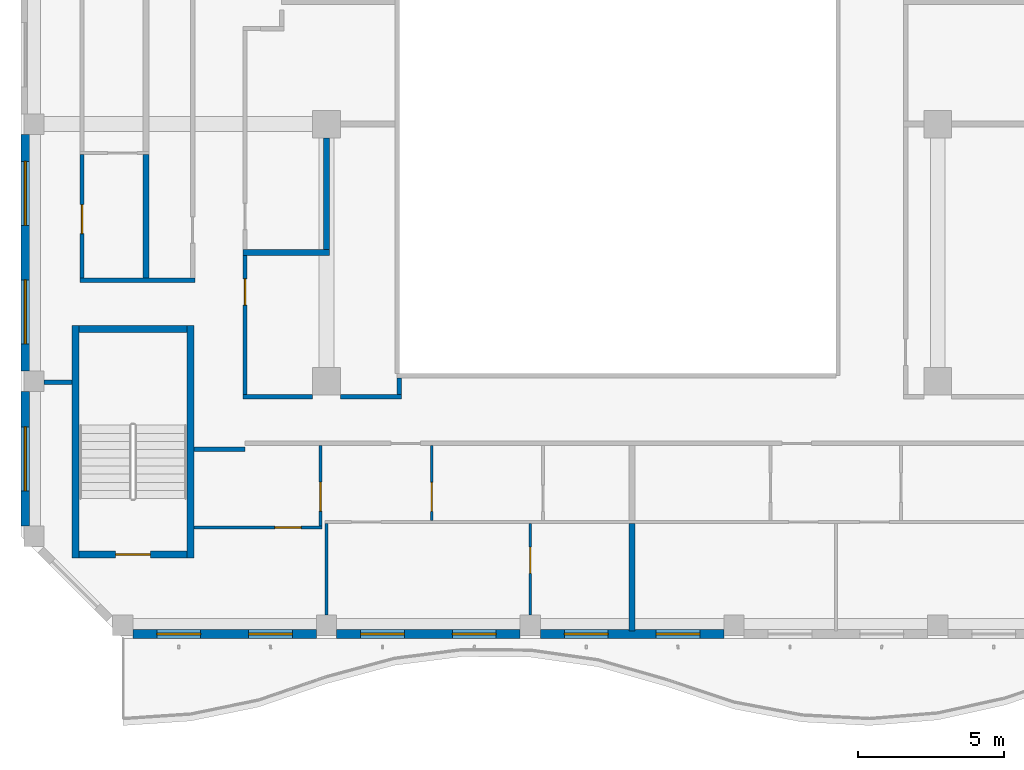
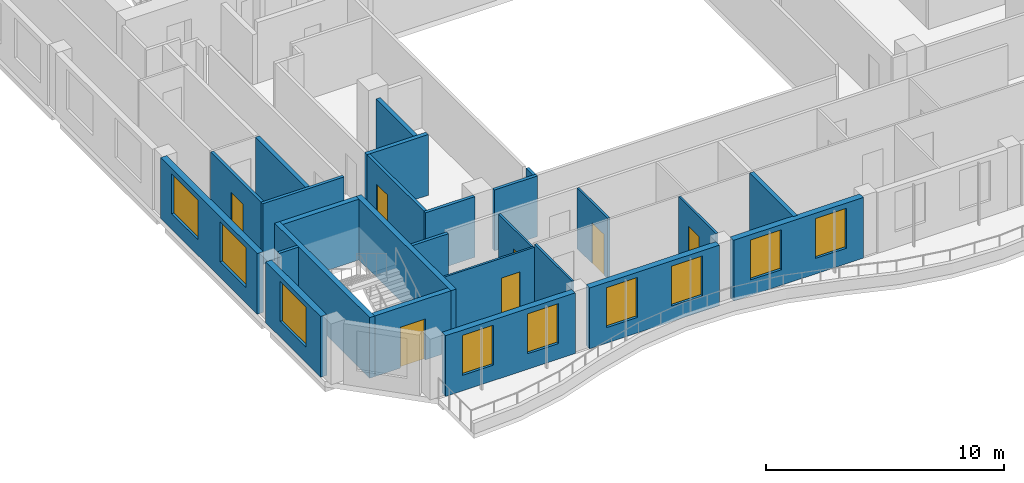
# One storey, part 2 of 19: 26 walls, 9 windows, 7 doors, 16 openings.
"""IFC4 building model written with IfcOpenShell, lengths in metres."""

from ifc_helpers import new_model, si_unit, direction, frame, frame_2d, origin, place, context, subcontext, project, spatial, rectangle, extrude, source, transform, mapped, material, layer, layer_set, type_object, element, fill, save


model = new_model("IFC4")

# Units and contexts
model_context = context("Model", 3, precision=1e-05, world=origin(), true_north=direction((0.0, 1.0)))
body_context = subcontext(model_context, "Body", "Model", "MODEL_VIEW")
ifc_project = project(units=[si_unit("LENGTHUNIT", "METRE"), si_unit("AREAUNIT", "SQUARE_METRE"), si_unit("VOLUMEUNIT", "CUBIC_METRE"), si_unit("PLANEANGLEUNIT", "RADIAN"), si_unit("MASSUNIT", "GRAM", prefix="KILO")], contexts=[model_context])

# Site, building, storey
site_placement = place(None, origin())
site = spatial("IfcSite", under=ifc_project, at=site_placement, CompositionType="ELEMENT")
building_placement = place(site_placement, origin())
building = spatial("IfcBuilding", under=site, at=building_placement, Name="Kilnfold Tower and Market Hall", CompositionType="ELEMENT")
storey_placement = place(building_placement, frame((0.0, 0.0, 252.60009765625)))
storey = spatial("IfcBuildingStorey", under=building, at=storey_placement, Name="L61", CompositionType="ELEMENT", Elevation=252.60009765625)

# Wall, opening, door
ifc_material_1 = material(Name="Gypsum board on steel studs", Category="steel")
ifc_layer_1 = layer(ifc_material_1, 0.14990234375)
ifc_layer_set_1 = layer_set([ifc_layer_1], Name="Gypsum board on steel studs")
wall_type_1 = type_object("IfcWallType", Name="WALL CORRIDOR 150", PredefinedType="PARTITIONING", material=ifc_layer_set_1)
wall_1_placement = place(storey_placement, frame((-17.39990234375, -6.125, 0.0), z_axis=(0.0, 0.0, 1.0), x_axis=(0.0, 1.0, 0.0)))
wall_1 = element("IfcWall", 1, at=wall_1_placement, inside=storey, type_object=wall_type_1, Name="Partition LY37.1", PredefinedType="PARTITIONING", context=body_context, shape_type="SweptSolid", body=[
    extrude(rectangle(XDim=4.25390625, YDim=0.14990234375, at=frame_2d((2.126953125, 0.0))), origin(), (0.0, 0.0, 1.0), 3.119873046875),
])
opening_1_placement = place(wall_1_placement, frame((1.52490234375, 0.0, 0.0)))
opening_1 = element("IfcOpeningElement", 2, at=opening_1_placement, cuts=wall_1, Name="Opening D1", PredefinedType="OPENING", context=body_context, shape_type="SweptSolid", body=[
    extrude(rectangle(XDim=1.0, YDim=2.10009765625, at=frame_2d((0.5, 1.050048828125))), frame((0.0, 0.0849609375, 0.0), z_axis=(0.0, -1.0, 0.0), x_axis=(1.0, 0.0, 0.0)), (0.0, 0.0, 1.0), 0.169921875),
])
ifc_material_2 = material(Name="Timber veneer door leaf in steel frame", Category="steel")
door_type_1 = type_object("IfcDoorType", Name="DOOR ENTRY 1000 X2100", OperationType="NOTDEFINED", PredefinedType="DOOR", material=ifc_material_2)
door_1_placement = place(opening_1_placement, origin())
door_1 = element("IfcDoor", 3, at=door_1_placement, inside=storey, type_object=door_type_1, Name="Door D1", OperationType="SINGLE_SWING_RIGHT", OverallHeight=2.10009765625, OverallWidth=1.0, PredefinedType="DOOR", context=body_context, shape_type="SweptSolid", body=[
    extrude(rectangle(XDim=1.0, YDim=2.10009765625, at=frame_2d((0.5, 1.050048828125))), frame((0.0, 0.02490234375, 0.0), z_axis=(0.0, -1.0, 0.0), x_axis=(1.0, 0.0, 0.0)), (0.0, 0.0, 1.0), 0.050048828125),
])
fill(opening_1, door_1)

# Walls
wall_2_placement = place(storey_placement, frame((-17.47509765625, -6.199951171875, 0.0), z_axis=(0.0, 0.0, 1.0), x_axis=(1.0, 0.0, 0.0)))
element("IfcWall", 4, at=wall_2_placement, inside=storey, type_object=wall_type_1, Name="Partition LY37.2", PredefinedType="PARTITIONING", context=body_context, shape_type="SweptSolid", body=[
    extrude(rectangle(XDim=3.9501953125, YDim=0.14990234375, at=frame_2d((1.97509765625, 0.0))), origin(), (0.0, 0.0, 1.0), 3.119873046875),
])
wall_3_placement = place(storey_placement, frame((-13.550048828125, -12.0, 0.0), z_axis=(0.0, 0.0, 1.0), x_axis=(1.0, 0.0, 0.0)))
element("IfcWall", 5, at=wall_3_placement, inside=storey, type_object=wall_type_1, Name="Partition LY37.10", PredefinedType="PARTITIONING", context=body_context, shape_type="SweptSolid", body=[
    extrude(rectangle(XDim=1.75, YDim=0.14990234375, at=frame_2d((0.875, 0.0))), origin(), (0.0, 0.0, 1.0), 3.119873046875),
])
wall_4_placement = place(storey_placement, frame((-18.699951171875, -9.699951171875, 0.0), z_axis=(0.0, 0.0, 1.0), x_axis=(1.0, 0.0, 0.0)))
element("IfcWall", 6, at=wall_4_placement, inside=storey, type_object=wall_type_1, Name="Partition LY37.11", PredefinedType="PARTITIONING", context=body_context, shape_type="SweptSolid", body=[
    extrude(rectangle(XDim=0.949951171875, YDim=0.14990234375, at=frame_2d((0.47509765625, 0.0))), origin(), (0.0, 0.0, 1.0), 3.119873046875),
])

# Wall, opening, door
wall_5_placement = place(storey_placement, frame((-11.800048828125, -10.125, 0.0), z_axis=(0.0, 0.0, 1.0), x_axis=(0.0, 1.0, 0.0)))
wall_5 = element("IfcWall", 7, at=wall_5_placement, inside=storey, type_object=wall_type_1, Name="Partition LY37.36", PredefinedType="PARTITIONING", context=body_context, shape_type="SweptSolid", body=[
    extrude(rectangle(XDim=4.784912109375, YDim=0.14990234375, at=frame_2d((2.392578125, 0.0))), origin(), (0.0, 0.0, 1.0), 3.119873046875),
])
opening_2_placement = place(wall_5_placement, frame((3.070068359375, 0.0, 0.0)))
opening_2 = element("IfcOpeningElement", 8, at=opening_2_placement, cuts=wall_5, Name="Opening D2", PredefinedType="OPENING", context=body_context, shape_type="SweptSolid", body=[
    extrude(rectangle(XDim=0.89990234375, YDim=2.10009765625, at=frame_2d((0.449951171875, 1.050048828125))), frame((0.0, 0.0849609375, 0.0), z_axis=(0.0, -1.0, 0.0), x_axis=(1.0, 0.0, 0.0)), (0.0, 0.0, 1.0), 0.169921875),
])
ifc_material_3 = material(Name="Timber veneer door leaf in steel frame", Category="steel")
door_type_2 = type_object("IfcDoorType", Name="DOOR ROOM 900 X2100", OperationType="NOTDEFINED", PredefinedType="DOOR", material=ifc_material_3)
door_2_placement = place(opening_2_placement, origin())
door_2 = element("IfcDoor", 9, at=door_2_placement, inside=storey, type_object=door_type_2, Name="Door D2", OperationType="SINGLE_SWING_LEFT", OverallHeight=2.10009765625, OverallWidth=0.89990234375, PredefinedType="DOOR", context=body_context, shape_type="SweptSolid", body=[
    extrude(rectangle(XDim=0.89990234375, YDim=2.10009765625, at=frame_2d((0.449951171875, 1.050048828125))), frame((0.0, 0.02490234375, 0.0), z_axis=(0.0, -1.0, 0.0), x_axis=(1.0, 0.0, 0.0)), (0.0, 0.0, 1.0), 0.050048828125),
])
fill(opening_2, door_2)

# Walls
wall_6_placement = place(storey_placement, frame((-8.52490234375, -10.199951171875, 0.0), z_axis=(0.0, 0.0, 1.0), x_axis=(1.0, 0.0, 0.0)))
element("IfcWall", 10, at=wall_6_placement, inside=storey, type_object=wall_type_1, Name="Partition LY37.37", PredefinedType="PARTITIONING", context=body_context, shape_type="SweptSolid", body=[
    extrude(rectangle(XDim=2.099853515625, YDim=0.14990234375, at=frame_2d((1.0498046875, 0.0))), origin(), (0.0, 0.0, 1.0), 3.119873046875),
])
wall_7_placement = place(storey_placement, frame((-11.875, -10.199951171875, 0.0), z_axis=(0.0, 0.0, 1.0), x_axis=(1.0, 0.0, 0.0)))
element("IfcWall", 11, at=wall_7_placement, inside=storey, type_object=wall_type_1, Name="Partition LY37.38", PredefinedType="PARTITIONING", context=body_context, shape_type="SweptSolid", body=[
    extrude(rectangle(XDim=2.39990234375, YDim=0.14990234375, at=frame_2d((1.199951171875, 0.0))), origin(), (0.0, 0.0, 1.0), 3.119873046875),
])
wall_8_placement = place(storey_placement, frame((-6.5, -9.550048828125, 0.0), z_axis=(0.0, 0.0, 1.0), x_axis=(0.0, -1.0, 0.0)))
element("IfcWall", 12, at=wall_8_placement, inside=storey, type_object=wall_type_1, Name="Partition LY37.39", PredefinedType="PARTITIONING", context=body_context, shape_type="SweptSolid", body=[
    extrude(rectangle(XDim=0.574951171875, YDim=0.14990234375, at=frame_2d((0.28759765625, 0.0))), origin(), (0.0, 0.0, 1.0), 3.119873046875),
])

# Wall, opening, door
ifc_material_4 = material(Name="Gypsum board on steel studs", Category="steel")
ifc_layer_2 = layer(ifc_material_4, 0.10009765625)
ifc_layer_set_2 = layer_set([ifc_layer_2], Name="Gypsum board on steel studs")
wall_type_2 = type_object("IfcWallType", Name="WALL PARTITION 100", PredefinedType="PARTITIONING", material=ifc_layer_set_2)
wall_9_placement = place(storey_placement, frame((-9.2099609375, -14.64990234375, 0.0), z_axis=(0.0, 0.0, 1.0), x_axis=(0.0, 1.0, 0.0)))
wall_9 = element("IfcWall", 13, at=wall_9_placement, inside=storey, type_object=wall_type_2, Name="Partition LY37.56", PredefinedType="PARTITIONING", context=body_context, shape_type="SweptSolid", body=[
    extrude(rectangle(XDim=2.77294921875, YDim=0.10009765625, at=frame_2d((1.386474609375, 0.0))), origin(), (0.0, 0.0, 1.0), 3.119873046875),
])
opening_3_placement = place(wall_9_placement, frame((0.51708984375, 0.0, 0.0)))
opening_3 = element("IfcOpeningElement", 14, at=opening_3_placement, cuts=wall_9, Name="Opening D1", PredefinedType="OPENING", context=body_context, shape_type="SweptSolid", body=[
    extrude(rectangle(XDim=1.0, YDim=2.10009765625, at=frame_2d((0.5, 1.050048828125))), frame((0.0, 0.06005859375, 0.0), z_axis=(0.0, -1.0, 0.0), x_axis=(1.0, 0.0, 0.0)), (0.0, 0.0, 1.0), 0.1201171875),
])
door_3_placement = place(opening_3_placement, origin())
door_3 = element("IfcDoor", 15, at=door_3_placement, inside=storey, type_object=door_type_1, Name="Door D1", OperationType="SINGLE_SWING_LEFT", OverallHeight=2.10009765625, OverallWidth=1.0, PredefinedType="DOOR", context=body_context, shape_type="SweptSolid", body=[
    extrude(rectangle(XDim=1.0, YDim=2.10009765625, at=frame_2d((0.5, 1.050048828125))), frame((0.0, 0.02490234375, 0.0), z_axis=(0.0, -1.0, 0.0), x_axis=(1.0, 0.0, 0.0)), (0.0, 0.0, 1.0), 0.050048828125),
])
fill(opening_3, door_3)

wall_10_placement = place(storey_placement, frame((-13.550048828125, -14.699951171875, 0.0), z_axis=(0.0, 0.0, 1.0), x_axis=(1.0, 0.0, 0.0)))
wall_10 = element("IfcWall", 16, at=wall_10_placement, inside=storey, type_object=wall_type_2, Name="Partition LY37.57", PredefinedType="PARTITIONING", context=body_context, shape_type="SweptSolid", body=[
    extrude(rectangle(XDim=4.39013671875, YDim=0.10009765625, at=frame_2d((2.195068359375, 0.0))), origin(), (0.0, 0.0, 1.0), 3.119873046875),
])
opening_4_placement = place(wall_10_placement, frame((2.77490234375, 0.0, 0.0)))
opening_4 = element("IfcOpeningElement", 17, at=opening_4_placement, cuts=wall_10, Name="Opening D2", PredefinedType="OPENING", context=body_context, shape_type="SweptSolid", body=[
    extrude(rectangle(XDim=0.89990234375, YDim=2.10009765625, at=frame_2d((0.449951171875, 1.050048828125))), frame((0.0, 0.06005859375, 0.0), z_axis=(0.0, -1.0, 0.0), x_axis=(1.0, 0.0, 0.0)), (0.0, 0.0, 1.0), 0.1201171875),
])
door_4_placement = place(opening_4_placement, origin())
door_4 = element("IfcDoor", 18, at=door_4_placement, inside=storey, type_object=door_type_2, Name="Door D2", OperationType="SINGLE_SWING_RIGHT", OverallHeight=2.10009765625, OverallWidth=0.89990234375, PredefinedType="DOOR", context=body_context, shape_type="SweptSolid", body=[
    extrude(rectangle(XDim=0.89990234375, YDim=2.10009765625, at=frame_2d((0.449951171875, 1.050048828125))), frame((0.0, 0.02490234375, 0.0), z_axis=(0.0, -1.0, 0.0), x_axis=(1.0, 0.0, 0.0)), (0.0, 0.0, 1.0), 0.050048828125),
])
fill(opening_4, door_4)

wall_11_placement = place(storey_placement, frame((-5.385009765625, -14.449951171875, 0.0), z_axis=(0.0, 0.0, 1.0), x_axis=(0.0, 1.0, 0.0)))
wall_11 = element("IfcWall", 19, at=wall_11_placement, inside=storey, type_object=wall_type_2, Name="Partition LY37.58", PredefinedType="PARTITIONING", context=body_context, shape_type="SweptSolid", body=[
    extrude(rectangle(XDim=2.572998046875, YDim=0.10009765625, at=frame_2d((1.28662109375, 0.0))), origin(), (0.0, 0.0, 1.0), 3.119873046875),
])
opening_5_placement = place(wall_11_placement, frame((0.306884765625, 0.0, 0.0)))
opening_5 = element("IfcOpeningElement", 20, at=opening_5_placement, cuts=wall_11, Name="Opening D1", PredefinedType="OPENING", context=body_context, shape_type="SweptSolid", body=[
    extrude(rectangle(XDim=1.0, YDim=2.10009765625, at=frame_2d((0.5, 1.050048828125))), frame((0.0, 0.06005859375, 0.0), z_axis=(0.0, -1.0, 0.0), x_axis=(1.0, 0.0, 0.0)), (0.0, 0.0, 1.0), 0.1201171875),
])
door_5_placement = place(opening_5_placement, origin())
door_5 = element("IfcDoor", 21, at=door_5_placement, inside=storey, type_object=door_type_1, Name="Door D1", OperationType="SINGLE_SWING_RIGHT", OverallHeight=2.10009765625, OverallWidth=1.0, PredefinedType="DOOR", context=body_context, shape_type="SweptSolid", body=[
    extrude(rectangle(XDim=1.0, YDim=2.10009765625, at=frame_2d((0.5, 1.050048828125))), frame((0.0, 0.02490234375, 0.0), z_axis=(0.0, -1.0, 0.0), x_axis=(1.0, 0.0, 0.0)), (0.0, 0.0, 1.0), 0.050048828125),
])
fill(opening_5, door_5)

# Wall
wall_12_placement = place(storey_placement, frame((-9.0, -17.699951171875, 0.0), z_axis=(0.0, 0.0, 1.0), x_axis=(0.0, 1.0, 0.0)))
element("IfcWall", 22, at=wall_12_placement, inside=storey, type_object=wall_type_2, Name="Partition LY37.62", PredefinedType="PARTITIONING", context=body_context, shape_type="SweptSolid", body=[
    extrude(rectangle(XDim=3.14794921875, YDim=0.10009765625, at=frame_2d((1.573974609375, 0.0))), origin(), (0.0, 0.0, 1.0), 3.119873046875),
])

# Wall, opening, door
wall_13_placement = place(storey_placement, frame((-2.0, -17.699951171875, 0.0), z_axis=(0.0, 0.0, 1.0), x_axis=(0.0, 1.0, 0.0)))
wall_13 = element("IfcWall", 23, at=wall_13_placement, inside=storey, type_object=wall_type_2, Name="Partition LY37.63", PredefinedType="PARTITIONING", context=body_context, shape_type="SweptSolid", body=[
    extrude(rectangle(XDim=3.14794921875, YDim=0.10009765625, at=frame_2d((1.573974609375, 0.0))), origin(), (0.0, 0.0, 1.0), 3.119873046875),
])
opening_6_placement = place(wall_13_placement, frame((1.431884765625, 0.0, 0.0)))
opening_6 = element("IfcOpeningElement", 24, at=opening_6_placement, cuts=wall_13, Name="Opening D2", PredefinedType="OPENING", context=body_context, shape_type="SweptSolid", body=[
    extrude(rectangle(XDim=0.89990234375, YDim=2.10009765625, at=frame_2d((0.449951171875, 1.050048828125))), frame((0.0, 0.06005859375, 0.0), z_axis=(0.0, -1.0, 0.0), x_axis=(1.0, 0.0, 0.0)), (0.0, 0.0, 1.0), 0.1201171875),
])
door_6_placement = place(opening_6_placement, origin())
door_6 = element("IfcDoor", 25, at=door_6_placement, inside=storey, type_object=door_type_2, Name="Door D2", OperationType="SINGLE_SWING_LEFT", OverallHeight=2.10009765625, OverallWidth=0.89990234375, PredefinedType="DOOR", context=body_context, shape_type="SweptSolid", body=[
    extrude(rectangle(XDim=0.89990234375, YDim=2.10009765625, at=frame_2d((0.449951171875, 1.050048828125))), frame((0.0, 0.02490234375, 0.0), z_axis=(0.0, -1.0, 0.0), x_axis=(1.0, 0.0, 0.0)), (0.0, 0.0, 1.0), 0.050048828125),
])
fill(opening_6, door_6)

# Walls
ifc_material_5 = material(Name="Gypsum board on steel studs", Category="steel")
ifc_layer_3 = layer(ifc_material_5, 0.199951171875)
ifc_layer_set_3 = layer_set([ifc_layer_3], Name="Gypsum board on steel studs")
wall_type_3 = type_object("IfcWallType", Name="WALL PARTY 200", PredefinedType="PARTITIONING", material=ifc_layer_set_3)
wall_14_placement = place(storey_placement, frame((-15.199951171875, -6.123046875, 0.0), z_axis=(0.0, 0.0, 1.0), x_axis=(0.0, 1.0, 0.0)))
element("IfcWall", 26, at=wall_14_placement, inside=storey, type_object=wall_type_3, Name="Partition LY37.51", PredefinedType="PARTITIONING", context=body_context, shape_type="SweptSolid", body=[
    extrude(rectangle(XDim=4.241943359375, YDim=0.199951171875, at=frame_2d((2.12109375, 0.0))), origin(), (0.0, 0.0, 1.0), 3.119873046875),
])
wall_15_placement = place(storey_placement, frame((1.5, -18.25, 0.0), z_axis=(0.0, 0.0, 1.0), x_axis=(0.0, 1.0, 0.0)))
element("IfcWall", 27, at=wall_15_placement, inside=storey, type_object=wall_type_3, Name="Partition LY37.64", PredefinedType="PARTITIONING", context=body_context, shape_type="SweptSolid", body=[
    extrude(rectangle(XDim=3.697998046875, YDim=0.199951171875, at=frame_2d((1.84912109375, 0.0))), origin(), (0.0, 0.0, 1.0), 3.119873046875),
])
wall_16_placement = place(storey_placement, frame((-9.0, -5.14990234375, 0.0), z_axis=(0.0, 0.0, 1.0), x_axis=(0.0, 1.0, 0.0)))
element("IfcWall", 28, at=wall_16_placement, inside=storey, type_object=wall_type_3, Name="Partition LY37.101", PredefinedType="PARTITIONING", context=body_context, shape_type="SweptSolid", body=[
    extrude(rectangle(XDim=3.841796875, YDim=0.199951171875, at=frame_2d((1.9208984375, 0.0))), origin(), (0.0, 0.0, 1.0), 2.56982421875),
])
wall_17_placement = place(storey_placement, frame((-11.873046875, -5.25, 0.0), z_axis=(0.0, 0.0, 1.0), x_axis=(1.0, 0.0, 0.0)))
element("IfcWall", 29, at=wall_17_placement, inside=storey, type_object=wall_type_3, Name="Partition LY37.102", PredefinedType="PARTITIONING", context=body_context, shape_type="SweptSolid", body=[
    extrude(rectangle(XDim=2.97314453125, YDim=0.199951171875, at=frame_2d((1.486572265625, 0.0))), origin(), (0.0, 0.0, 1.0), 3.119873046875),
])

# Wall, opening, door
ifc_material_6 = material(Name="Concrete C60", Category="concrete")
ifc_layer_4 = layer(ifc_material_6, 0.25)
ifc_layer_set_4 = layer_set([ifc_layer_4], Name="Concrete C60")
wall_type_4 = type_object("IfcWallType", Name="CORE WALL 250 C60", PredefinedType="SHEAR", material=ifc_layer_set_4)
shared_shape_1 = source(origin(), body_context, "Body", "SweptSolid", [
    extrude(rectangle(XDim=3.699951171875, YDim=0.25, at=frame_2d((1.85009765625, 0.0))), origin(), (0.0, 0.0, 1.0), 3.119873046875),
])
wall_18_placement = place(storey_placement, frame((-17.5, -15.625, 0.0), z_axis=(0.0, 0.0, 1.0), x_axis=(1.0, 0.0, 0.0)))
wall_18 = element("IfcWall", 30, at=wall_18_placement, inside=storey, type_object=wall_type_4, Name="Stair enclosure ST3", PredefinedType="SHEAR", context=body_context, shape_type="MappedRepresentation", body=[
    mapped(shared_shape_1, transform((0.0, 0.0, 0.0))),
])
opening_7_placement = place(wall_18_placement, frame((1.25, 0.0, 0.0)))
opening_7 = element("IfcOpeningElement", 31, at=opening_7_placement, cuts=wall_18, Name="Opening SD1", PredefinedType="OPENING", context=body_context, shape_type="SweptSolid", body=[
    extrude(rectangle(XDim=1.199951171875, YDim=2.10009765625, at=frame_2d((0.60009765625, 1.050048828125))), frame((0.0, 0.135009765625, 0.0), z_axis=(0.0, -1.0, 0.0), x_axis=(1.0, 0.0, 0.0)), (0.0, 0.0, 1.0), 0.27001953125),
])
ifc_material_7 = material(Name="Steel door set with fire-resisting leaf", Category="steel")
door_type_3 = type_object("IfcDoorType", Name="STAIR FLOOR DOOR 1200X2100", OperationType="NOTDEFINED", PredefinedType="DOOR", material=ifc_material_7)
door_7_placement = place(opening_7_placement, origin())
door_7 = element("IfcDoor", 32, at=door_7_placement, inside=storey, type_object=door_type_3, Name="Exit stair ST3 door", OperationType="DOUBLE_DOOR_SINGLE_SWING", OverallHeight=2.10009765625, OverallWidth=1.199951171875, PredefinedType="DOOR", context=body_context, shape_type="SweptSolid", body=[
    extrude(rectangle(XDim=1.199951171875, YDim=2.10009765625, at=frame_2d((0.60009765625, 1.050048828125))), frame((0.0, 0.02490234375, 0.0), z_axis=(0.0, -1.0, 0.0), x_axis=(1.0, 0.0, 0.0)), (0.0, 0.0, 1.0), 0.050048828125),
])
fill(opening_7, door_7)

# Walls
wall_19_placement = place(storey_placement, frame((-17.5, -7.875, 0.0), z_axis=(0.0, 0.0, 1.0), x_axis=(1.0, 0.0, 0.0)))
element("IfcWall", 33, at=wall_19_placement, inside=storey, type_object=wall_type_4, Name="Stair enclosure ST3", PredefinedType="SHEAR", context=body_context, shape_type="MappedRepresentation", body=[
    mapped(shared_shape_1, transform((0.0, 0.0, 0.0))),
])
shared_shape_2 = source(origin(), body_context, "Body", "SweptSolid", [
    extrude(rectangle(XDim=8.0, YDim=0.25, at=frame_2d((4.0, 0.0))), origin(), (0.0, 0.0, 1.0), 3.119873046875),
])
for number, where, z_axis, x_axis, name in (
    (34, (-17.625, -15.75, 0.0), (0.0, 0.0, 1.0), (0.0, 1.0, 0.0), "Stair enclosure ST3"),
    (35, (-13.675048828125, -15.75, 0.0), (0.0, 0.0, 1.0), (0.0, 1.0, 0.0), "Stair enclosure ST3"),
):
    element("IfcWall", number, at=place(storey_placement, frame(where, z_axis=z_axis, x_axis=x_axis)), inside=storey, type_object=wall_type_4, Name=name, PredefinedType="SHEAR", context=body_context, shape_type="MappedRepresentation", body=[
        mapped(shared_shape_2, transform((0.0, 0.0, 0.0))),
    ])

# Wall, openings, windows
ifc_material_8 = material(Name="Precast concrete C50/60", Category="concrete")
ifc_layer_5 = layer(ifc_material_8, 0.300048828125)
ifc_layer_set_5 = layer_set([ifc_layer_5], Name="Precast concrete C50/60")
wall_type_5 = type_object("IfcWallType", Name="PRECAST WALL 300", PredefinedType="SOLIDWALL", material=ifc_layer_set_5)
shared_shape_3 = source(origin(), body_context, "Body", "SweptSolid", [
    extrude(rectangle(XDim=6.2998046875, YDim=0.300048828125, at=frame_2d((3.14990234375, 0.0))), origin(), (0.0, 0.0, 1.0), 3.119873046875),
])
wall_20_placement = place(storey_placement, frame((-15.64990234375, -18.35009765625, 0.0), z_axis=(0.0, 0.0, 1.0), x_axis=(1.0, 0.0, 0.0)))
wall_20 = element("IfcWall", 36, at=wall_20_placement, inside=storey, type_object=wall_type_5, Name="External wall L61 S", PredefinedType="SOLIDWALL", context=body_context, shape_type="MappedRepresentation", body=[
    mapped(shared_shape_3, transform((0.0, 0.0, 0.0))),
])
opening_8_placement = place(wall_20_placement, frame((0.824951171875, 0.0, 0.800048828125)))
opening_8 = element("IfcOpeningElement", 37, at=opening_8_placement, cuts=wall_20, Name="Opening W5", PredefinedType="OPENING", context=body_context, shape_type="SweptSolid", body=[
    extrude(rectangle(XDim=1.5, YDim=2.050048828125, at=frame_2d((0.75, 1.02490234375))), frame((0.0, 0.16015625, 0.0), z_axis=(0.0, -1.0, 0.0), x_axis=(1.0, 0.0, 0.0)), (0.0, 0.0, 1.0), 0.320068359375),
])
opening_9_placement = place(wall_20_placement, frame((3.97509765625, 0.0, 0.800048828125)))
opening_9 = element("IfcOpeningElement", 38, at=opening_9_placement, cuts=wall_20, Name="Opening W5", PredefinedType="OPENING", context=body_context, shape_type="SweptSolid", body=[
    extrude(rectangle(XDim=1.5, YDim=2.050048828125, at=frame_2d((0.75, 1.02490234375))), frame((0.0, 0.16015625, 0.0), z_axis=(0.0, -1.0, 0.0), x_axis=(1.0, 0.0, 0.0)), (0.0, 0.0, 1.0), 0.320068359375),
])
ifc_material_9 = material(Name="Aluminium frame and double glazing", Category="aluminium")
window_type_1 = type_object("IfcWindowType", Name="WINDOW W5 1500X2050", PartitioningType="SINGLE_PANEL", PredefinedType="WINDOW", material=ifc_material_9)
window_1_placement = place(opening_8_placement, origin())
window_1 = element("IfcWindow", 39, at=window_1_placement, inside=storey, type_object=window_type_1, Name="Window W5 L61 S-1", OverallHeight=2.050048828125, OverallWidth=1.5, PartitioningType="SINGLE_PANEL", PredefinedType="WINDOW", context=body_context, shape_type="SweptSolid", body=[
    extrude(rectangle(XDim=1.5, YDim=2.050048828125, at=frame_2d((0.75, 1.02490234375))), frame((0.0, 0.030029296875, 0.0), z_axis=(0.0, -1.0, 0.0), x_axis=(1.0, 0.0, 0.0)), (0.0, 0.0, 1.0), 0.06005859375),
])
fill(opening_8, window_1)
window_2_placement = place(opening_9_placement, origin())
window_2 = element("IfcWindow", 40, at=window_2_placement, inside=storey, type_object=window_type_1, Name="Window W5 L61 S-2", OverallHeight=2.050048828125, OverallWidth=1.5, PartitioningType="SINGLE_PANEL", PredefinedType="WINDOW", context=body_context, shape_type="SweptSolid", body=[
    extrude(rectangle(XDim=1.5, YDim=2.050048828125, at=frame_2d((0.75, 1.02490234375))), frame((0.0, 0.030029296875, 0.0), z_axis=(0.0, -1.0, 0.0), x_axis=(1.0, 0.0, 0.0)), (0.0, 0.0, 1.0), 0.06005859375),
])
fill(opening_9, window_2)

wall_21_placement = place(storey_placement, frame((-8.64990234375, -18.35009765625, 0.0), z_axis=(0.0, 0.0, 1.0), x_axis=(1.0, 0.0, 0.0)))
wall_21 = element("IfcWall", 41, at=wall_21_placement, inside=storey, type_object=wall_type_5, Name="External wall L61 S", PredefinedType="SOLIDWALL", context=body_context, shape_type="MappedRepresentation", body=[
    mapped(shared_shape_3, transform((0.0, 0.0, 0.0))),
])
opening_10_placement = place(wall_21_placement, frame((0.824951171875, 0.0, 0.800048828125)))
opening_10 = element("IfcOpeningElement", 42, at=opening_10_placement, cuts=wall_21, Name="Opening W5", PredefinedType="OPENING", context=body_context, shape_type="SweptSolid", body=[
    extrude(rectangle(XDim=1.5, YDim=2.050048828125, at=frame_2d((0.75, 1.02490234375))), frame((0.0, 0.16015625, 0.0), z_axis=(0.0, -1.0, 0.0), x_axis=(1.0, 0.0, 0.0)), (0.0, 0.0, 1.0), 0.320068359375),
])
opening_11_placement = place(wall_21_placement, frame((3.97509765625, 0.0, 0.800048828125)))
opening_11 = element("IfcOpeningElement", 43, at=opening_11_placement, cuts=wall_21, Name="Opening W5", PredefinedType="OPENING", context=body_context, shape_type="SweptSolid", body=[
    extrude(rectangle(XDim=1.5, YDim=2.050048828125, at=frame_2d((0.75, 1.02490234375))), frame((0.0, 0.16015625, 0.0), z_axis=(0.0, -1.0, 0.0), x_axis=(1.0, 0.0, 0.0)), (0.0, 0.0, 1.0), 0.320068359375),
])
window_3_placement = place(opening_10_placement, origin())
window_3 = element("IfcWindow", 44, at=window_3_placement, inside=storey, type_object=window_type_1, Name="Window W5 L61 S-1", OverallHeight=2.050048828125, OverallWidth=1.5, PartitioningType="SINGLE_PANEL", PredefinedType="WINDOW", context=body_context, shape_type="SweptSolid", body=[
    extrude(rectangle(XDim=1.5, YDim=2.050048828125, at=frame_2d((0.75, 1.02490234375))), frame((0.0, 0.030029296875, 0.0), z_axis=(0.0, -1.0, 0.0), x_axis=(1.0, 0.0, 0.0)), (0.0, 0.0, 1.0), 0.06005859375),
])
fill(opening_10, window_3)
window_4_placement = place(opening_11_placement, origin())
window_4 = element("IfcWindow", 45, at=window_4_placement, inside=storey, type_object=window_type_1, Name="Window W5 L61 S-2", OverallHeight=2.050048828125, OverallWidth=1.5, PartitioningType="SINGLE_PANEL", PredefinedType="WINDOW", context=body_context, shape_type="SweptSolid", body=[
    extrude(rectangle(XDim=1.5, YDim=2.050048828125, at=frame_2d((0.75, 1.02490234375))), frame((0.0, 0.030029296875, 0.0), z_axis=(0.0, -1.0, 0.0), x_axis=(1.0, 0.0, 0.0)), (0.0, 0.0, 1.0), 0.06005859375),
])
fill(opening_11, window_4)

wall_22_placement = place(storey_placement, frame((-1.64990234375, -18.35009765625, 0.0), z_axis=(0.0, 0.0, 1.0), x_axis=(1.0, 0.0, 0.0)))
wall_22 = element("IfcWall", 46, at=wall_22_placement, inside=storey, type_object=wall_type_5, Name="External wall L61 S", PredefinedType="SOLIDWALL", context=body_context, shape_type="MappedRepresentation", body=[
    mapped(shared_shape_3, transform((0.0, 0.0, 0.0))),
])
opening_12_placement = place(wall_22_placement, frame((0.824951171875, 0.0, 0.800048828125)))
opening_12 = element("IfcOpeningElement", 47, at=opening_12_placement, cuts=wall_22, Name="Opening W5", PredefinedType="OPENING", context=body_context, shape_type="SweptSolid", body=[
    extrude(rectangle(XDim=1.5, YDim=2.050048828125, at=frame_2d((0.75, 1.02490234375))), frame((0.0, 0.16015625, 0.0), z_axis=(0.0, -1.0, 0.0), x_axis=(1.0, 0.0, 0.0)), (0.0, 0.0, 1.0), 0.320068359375),
])
opening_13_placement = place(wall_22_placement, frame((3.97509765625, 0.0, 0.800048828125)))
opening_13 = element("IfcOpeningElement", 48, at=opening_13_placement, cuts=wall_22, Name="Opening W5", PredefinedType="OPENING", context=body_context, shape_type="SweptSolid", body=[
    extrude(rectangle(XDim=1.5, YDim=2.050048828125, at=frame_2d((0.75, 1.02490234375))), frame((0.0, 0.16015625, 0.0), z_axis=(0.0, -1.0, 0.0), x_axis=(1.0, 0.0, 0.0)), (0.0, 0.0, 1.0), 0.320068359375),
])
window_5_placement = place(opening_12_placement, origin())
window_5 = element("IfcWindow", 49, at=window_5_placement, inside=storey, type_object=window_type_1, Name="Window W5 L61 S-1", OverallHeight=2.050048828125, OverallWidth=1.5, PartitioningType="SINGLE_PANEL", PredefinedType="WINDOW", context=body_context, shape_type="SweptSolid", body=[
    extrude(rectangle(XDim=1.5, YDim=2.050048828125, at=frame_2d((0.75, 1.02490234375))), frame((0.0, 0.030029296875, 0.0), z_axis=(0.0, -1.0, 0.0), x_axis=(1.0, 0.0, 0.0)), (0.0, 0.0, 1.0), 0.06005859375),
])
fill(opening_12, window_5)
window_6_placement = place(opening_13_placement, origin())
window_6 = element("IfcWindow", 50, at=window_6_placement, inside=storey, type_object=window_type_1, Name="Window W5 L61 S-2", OverallHeight=2.050048828125, OverallWidth=1.5, PartitioningType="SINGLE_PANEL", PredefinedType="WINDOW", context=body_context, shape_type="SweptSolid", body=[
    extrude(rectangle(XDim=1.5, YDim=2.050048828125, at=frame_2d((0.75, 1.02490234375))), frame((0.0, 0.030029296875, 0.0), z_axis=(0.0, -1.0, 0.0), x_axis=(1.0, 0.0, 0.0)), (0.0, 0.0, 1.0), 0.06005859375),
])
fill(opening_13, window_6)

shared_shape_4 = source(origin(), body_context, "Body", "SweptSolid", [
    extrude(rectangle(XDim=8.13330078125, YDim=0.300048828125, at=frame_2d((4.066650390625, 0.0))), origin(), (0.0, 0.0, 1.0), 3.119873046875),
])
wall_23_placement = place(storey_placement, frame((-19.35009765625, -1.183349609375, 0.0), z_axis=(0.0, 0.0, 1.0), x_axis=(0.0, -1.0, 0.0)))
wall_23 = element("IfcWall", 51, at=wall_23_placement, inside=storey, type_object=wall_type_5, Name="External wall L61 W", PredefinedType="SOLIDWALL", context=body_context, shape_type="MappedRepresentation", body=[
    mapped(shared_shape_4, transform((0.0, 0.0, 0.0))),
])
opening_14_placement = place(wall_23_placement, frame((0.933349609375, 0.0, 0.800048828125)))
opening_14 = element("IfcOpeningElement", 52, at=opening_14_placement, cuts=wall_23, Name="Opening W3", PredefinedType="OPENING", context=body_context, shape_type="SweptSolid", body=[
    extrude(rectangle(XDim=2.199951171875, YDim=2.050048828125, at=frame_2d((1.10009765625, 1.02490234375))), frame((0.0, 0.16015625, 0.0), z_axis=(0.0, -1.0, 0.0), x_axis=(1.0, 0.0, 0.0)), (0.0, 0.0, 1.0), 0.320068359375),
])
opening_15_placement = place(wall_23_placement, frame((5.0, 0.0, 0.800048828125)))
opening_15 = element("IfcOpeningElement", 53, at=opening_15_placement, cuts=wall_23, Name="Opening W3", PredefinedType="OPENING", context=body_context, shape_type="SweptSolid", body=[
    extrude(rectangle(XDim=2.199951171875, YDim=2.050048828125, at=frame_2d((1.10009765625, 1.02490234375))), frame((0.0, 0.16015625, 0.0), z_axis=(0.0, -1.0, 0.0), x_axis=(1.0, 0.0, 0.0)), (0.0, 0.0, 1.0), 0.320068359375),
])
ifc_material_10 = material(Name="Aluminium frame and double glazing", Category="aluminium")
window_type_2 = type_object("IfcWindowType", Name="WINDOW W3 2200X2050", PartitioningType="SINGLE_PANEL", PredefinedType="WINDOW", material=ifc_material_10)
window_7_placement = place(opening_14_placement, origin())
window_7 = element("IfcWindow", 54, at=window_7_placement, inside=storey, type_object=window_type_2, Name="Window W3 L61 W-1", OverallHeight=2.050048828125, OverallWidth=2.199951171875, PartitioningType="SINGLE_PANEL", PredefinedType="WINDOW", context=body_context, shape_type="SweptSolid", body=[
    extrude(rectangle(XDim=2.199951171875, YDim=2.050048828125, at=frame_2d((1.10009765625, 1.02490234375))), frame((0.0, 0.030029296875, 0.0), z_axis=(0.0, -1.0, 0.0), x_axis=(1.0, 0.0, 0.0)), (0.0, 0.0, 1.0), 0.06005859375),
])
fill(opening_14, window_7)
window_8_placement = place(opening_15_placement, origin())
window_8 = element("IfcWindow", 55, at=window_8_placement, inside=storey, type_object=window_type_2, Name="Window W3 L61 W-2", OverallHeight=2.050048828125, OverallWidth=2.199951171875, PartitioningType="SINGLE_PANEL", PredefinedType="WINDOW", context=body_context, shape_type="SweptSolid", body=[
    extrude(rectangle(XDim=2.199951171875, YDim=2.050048828125, at=frame_2d((1.10009765625, 1.02490234375))), frame((0.0, 0.030029296875, 0.0), z_axis=(0.0, -1.0, 0.0), x_axis=(1.0, 0.0, 0.0)), (0.0, 0.0, 1.0), 0.06005859375),
])
fill(opening_15, window_8)

# Wall, opening, window
shared_shape_5 = source(origin(), body_context, "Body", "SweptSolid", [
    extrude(rectangle(XDim=4.63330078125, YDim=0.300048828125, at=frame_2d((2.316650390625, 0.0))), origin(), (0.0, 0.0, 1.0), 3.119873046875),
])
wall_24_placement = place(storey_placement, frame((-19.35009765625, -10.0166015625, 0.0), z_axis=(0.0, 0.0, 1.0), x_axis=(0.0, -1.0, 0.0)))
wall_24 = element("IfcWall", 56, at=wall_24_placement, inside=storey, type_object=wall_type_5, Name="External wall L61 W", PredefinedType="SOLIDWALL", context=body_context, shape_type="MappedRepresentation", body=[
    mapped(shared_shape_5, transform((0.0, 0.0, 0.0))),
])
opening_16_placement = place(wall_24_placement, frame((1.216552734375, 0.0, 0.800048828125)))
opening_16 = element("IfcOpeningElement", 57, at=opening_16_placement, cuts=wall_24, Name="Opening W3", PredefinedType="OPENING", context=body_context, shape_type="SweptSolid", body=[
    extrude(rectangle(XDim=2.199951171875, YDim=2.050048828125, at=frame_2d((1.10009765625, 1.02490234375))), frame((0.0, 0.16015625, 0.0), z_axis=(0.0, -1.0, 0.0), x_axis=(1.0, 0.0, 0.0)), (0.0, 0.0, 1.0), 0.320068359375),
])
window_9_placement = place(opening_16_placement, origin())
window_9 = element("IfcWindow", 58, at=window_9_placement, inside=storey, type_object=window_type_2, Name="Window W3 L61 W-1", OverallHeight=2.050048828125, OverallWidth=2.199951171875, PartitioningType="SINGLE_PANEL", PredefinedType="WINDOW", context=body_context, shape_type="SweptSolid", body=[
    extrude(rectangle(XDim=2.199951171875, YDim=2.050048828125, at=frame_2d((1.10009765625, 1.02490234375))), frame((0.0, 0.030029296875, 0.0), z_axis=(0.0, -1.0, 0.0), x_axis=(1.0, 0.0, 0.0)), (0.0, 0.0, 1.0), 0.06005859375),
])
fill(opening_16, window_9)

save(model, "model.ifc")
